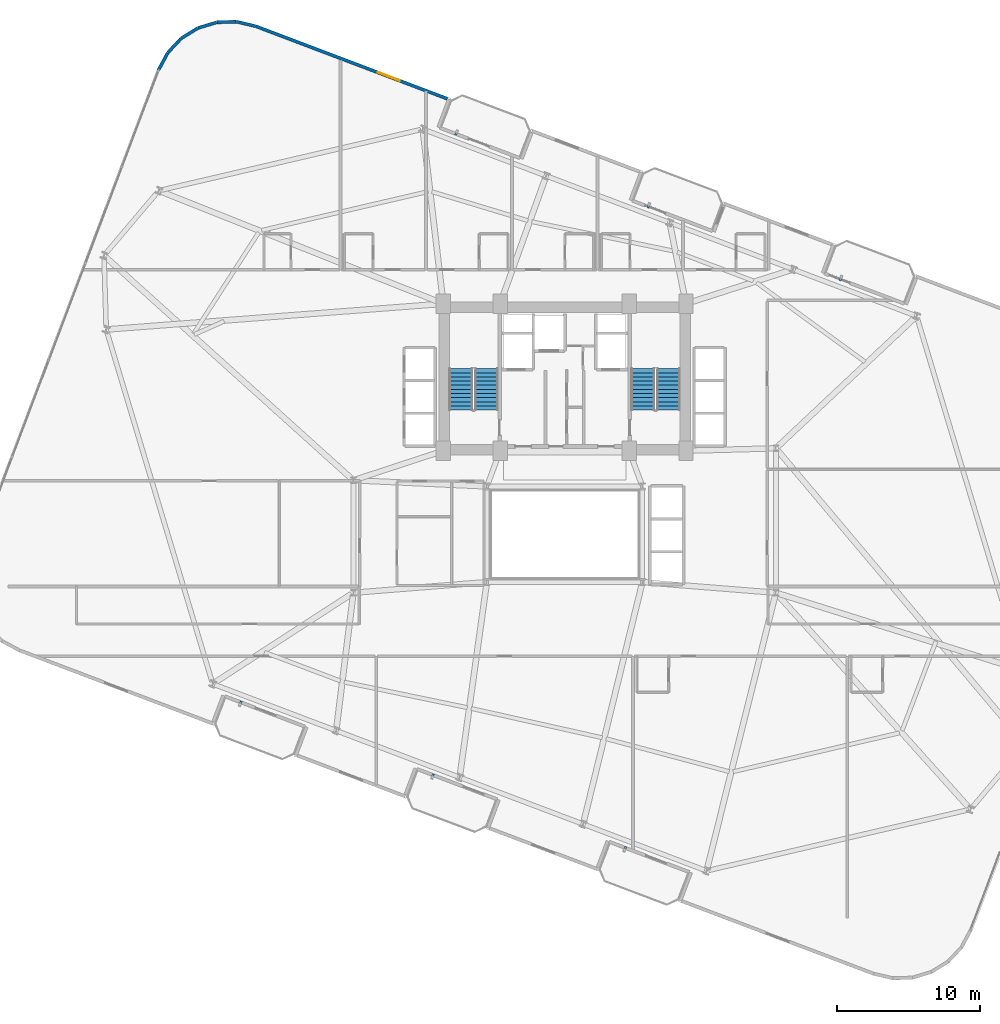
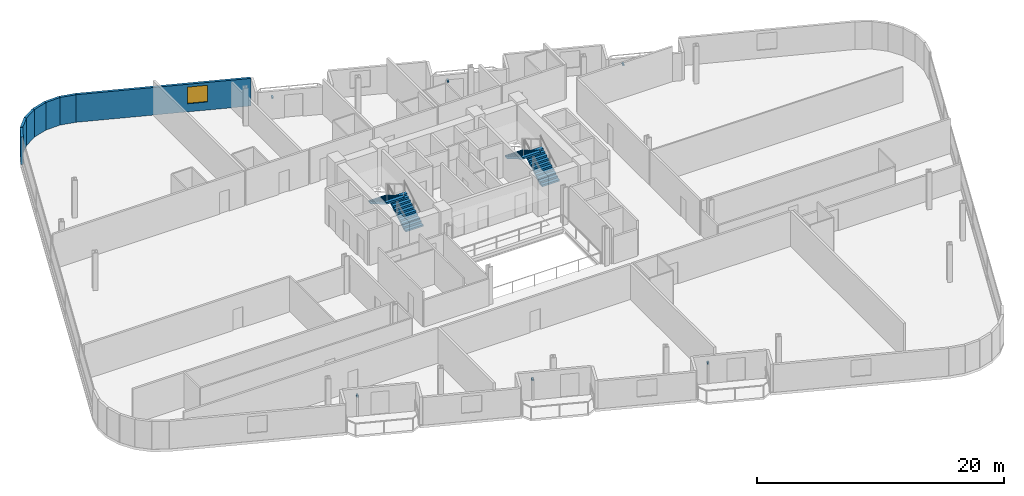
# One storey, part 21 of 24: 7 walls, 6 discrete accessories, 4 stair flights, 1 window, 1 opening, 2 elements without a shape of their own.
"""IFC4 building model written with IfcOpenShell, lengths in metres."""

import ifcopenshell
import ifcopenshell.guid

model = None  # the IFC model being written
_history = None  # IfcOwnerHistory: only IFC2X3 demands one
_inside = {}  # id of a spatial element -> (the spatial element, [elements in it])
_under = {}  # id of a project, library or spatial element -> (it, [spatial elements below it])
_declared = {}  # id of a project -> (the project, [libraries it declares])
_typed = {}  # id of a type object -> (the type object, [elements of that type])
_made_of = {}  # id of a material, layer set ... -> (it, [elements and type objects made of it])


def new_model(schema):
    """Start an empty IFC model of exactly this schema.

    Asked for "IFC4X3", IfcOpenShell would pick the latest addendum, in which some entities
    have other attributes; the version numbers below select the first issue.
    IFC2X3 requires an IfcOwnerHistory on every rooted entity: one is made here for all.
    """
    global model, _history
    if schema == "IFC4X3":
        model = ifcopenshell.file(schema_version=(4, 3, 0, 0))
    else:
        model = ifcopenshell.file(schema=schema)
    _inside.clear()
    _under.clear()
    _declared.clear()
    _typed.clear()
    _made_of.clear()
    _history = None
    if model.schema == "IFC2X3":
        org = make("IfcOrganization", Name="unknown")
        user = make(
            "IfcPersonAndOrganization",
            ThePerson=make("IfcPerson", FamilyName="unknown"),
            TheOrganization=org,
        )
        app = make(
            "IfcApplication",
            ApplicationDeveloper=org,
            Version="unknown",
            ApplicationFullName="unknown",
            ApplicationIdentifier="unknown",
        )
        _history = make(
            "IfcOwnerHistory",
            OwningUser=user,
            OwningApplication=app,
            ChangeAction="ADDED",
            CreationDate=0,
        )
    return model


def make(cls, **values):
    """One entity of the class cls with the attributes given. An attribute that is None is left unset."""
    return model.create_entity(
        cls, **{name: value for name, value in values.items() if value is not None}
    )


def rooted(cls, **values):
    """An entity with a GlobalId (a new one), such as an element, a storey or a relation."""
    return make(cls, GlobalId=ifcopenshell.guid.new(), OwnerHistory=_history, **values)


def si_unit(unit_type, name, prefix=None):
    """IfcSIUnit, for example si_unit("LENGTHUNIT", "METRE", prefix="MILLI")."""
    return make("IfcSIUnit", UnitType=unit_type, Prefix=prefix, Name=name)


def assignment(units):
    """IfcUnitAssignment: the units of a project."""
    return None if units is None else make("IfcUnitAssignment", Units=units)


def point(xyz):
    """IfcCartesianPoint."""
    return None if xyz is None else make("IfcCartesianPoint", Coordinates=xyz)


def direction(xyz):
    """IfcDirection."""
    return None if xyz is None else make("IfcDirection", DirectionRatios=xyz)


def frame(location, z_axis=None, x_axis=None):
    """IfcAxis2Placement3D, a coordinate frame: its origin and axes. An axis left out is left unset."""
    return make(
        "IfcAxis2Placement3D",
        Location=point(location),
        Axis=direction(z_axis),
        RefDirection=direction(x_axis),
    )


def frame_2d(location, x_axis=None):
    """IfcAxis2Placement2D, a coordinate frame in the plane: its origin and x axis."""
    return make(
        "IfcAxis2Placement2D", Location=point(location), RefDirection=direction(x_axis)
    )


def origin():
    """The frame at (0, 0, 0) with its axes left unset."""
    return frame((0.0, 0.0, 0.0))


def origin_2d():
    """The frame at (0, 0) in the plane with its x axis left unset."""
    return frame_2d((0.0, 0.0))


def place(relative_to, where):
    """IfcLocalPlacement: puts the frame where relative to a parent placement (None: the world)."""
    return make(
        "IfcLocalPlacement", PlacementRelTo=relative_to, RelativePlacement=where
    )


def context(
    kind, dimensions, precision=None, world=None, true_north=None, identifier=None
):
    """IfcGeometricRepresentationContext, for example the 3D "Model" context."""
    return make(
        "IfcGeometricRepresentationContext",
        ContextIdentifier=identifier,
        ContextType=kind,
        CoordinateSpaceDimension=dimensions,
        Precision=precision,
        WorldCoordinateSystem=world,
        TrueNorth=true_north,
    )


def subcontext(parent, identifier, kind, view, scale=None):
    """IfcGeometricRepresentationSubContext, for example "Body" below "Model"."""
    return make(
        "IfcGeometricRepresentationSubContext",
        ContextIdentifier=identifier,
        ContextType=kind,
        ParentContext=parent,
        TargetScale=scale,
        TargetView=view,
    )


def project(units=None, contexts=None):
    """IfcProject with its units and contexts."""
    return rooted(
        "IfcProject",
        Name="project",
        RepresentationContexts=contexts,
        UnitsInContext=assignment(units),
    )


def spatial(cls, under=None, at=None, **own):
    """A site, building, storey or space (cls), placed at a placement, below another one or the project."""
    s = rooted(cls, ObjectPlacement=at, **own)
    if under is not None:
        _under.setdefault(under.id(), (under, []))[1].append(s)
    return s


def polyline(points):
    """IfcPolyline through the points."""
    return make("IfcPolyline", Points=[point(p) for p in points])


def profile(cls, at=None, kind="AREA", **sizes):
    """A parametric profile (cls). Its sizes go by their IFC names, for example OverallWidth=200.0."""
    return make(cls, ProfileType=kind, Position=at, **sizes)


def rectangle(**sizes):
    """IfcRectangleProfileDef."""
    return profile("IfcRectangleProfileDef", **sizes)


def outline(outer, holes=None, kind="AREA"):
    """IfcArbitraryClosedProfileDef: a profile drawn as a closed curve; with holes, ...WithVoids."""
    if holes is None:
        return make("IfcArbitraryClosedProfileDef", ProfileType=kind, OuterCurve=outer)
    return make(
        "IfcArbitraryProfileDefWithVoids",
        ProfileType=kind,
        OuterCurve=outer,
        InnerCurves=holes,
    )


def extrude(swept, where, along, depth):
    """IfcExtrudedAreaSolid: the profile swept, set in the frame where, extruded along a direction by depth."""
    return make(
        "IfcExtrudedAreaSolid",
        SweptArea=swept,
        Position=where,
        ExtrudedDirection=direction(along),
        Depth=depth,
    )


def shape(context_of_items, identifier, shape_type, items):
    """IfcShapeRepresentation: the items that make up one representation, for example the "Body"."""
    return make(
        "IfcShapeRepresentation",
        ContextOfItems=context_of_items,
        RepresentationIdentifier=identifier,
        RepresentationType=shape_type,
        Items=items,
    )


def source(mapping_origin, context_of_items, identifier, shape_type, items):
    """IfcRepresentationMap: a shape defined once, which mapped items show again and again."""
    return make(
        "IfcRepresentationMap",
        MappingOrigin=mapping_origin,
        MappedRepresentation=shape(context_of_items, identifier, shape_type, items),
    )


def transform(
    local_origin,
    x_axis=None,
    y_axis=None,
    z_axis=None,
    scale=None,
    scale2=None,
    scale3=None,
    uniform=True,
):
    """IfcCartesianTransformationOperator3D, or its non-uniform kind. x_axis, y_axis, z_axis: its Axis1, 2, 3."""
    if uniform:
        return make(
            "IfcCartesianTransformationOperator3D",
            Axis1=direction(x_axis),
            Axis2=direction(y_axis),
            LocalOrigin=point(local_origin),
            Scale=scale,
            Axis3=direction(z_axis),
        )
    return make(
        "IfcCartesianTransformationOperator3DnonUniform",
        Axis1=direction(x_axis),
        Axis2=direction(y_axis),
        LocalOrigin=point(local_origin),
        Scale=scale,
        Axis3=direction(z_axis),
        Scale2=scale2,
        Scale3=scale3,
    )


def mapped(mapping_source, mapping_target):
    """IfcMappedItem: shows the shape of a source again, moved by a transform."""
    return make(
        "IfcMappedItem", MappingSource=mapping_source, MappingTarget=mapping_target
    )


def material(Name=None, Category=None):
    """IfcMaterial."""
    return make("IfcMaterial", Name=Name, Category=Category)


def layer(
    of_material, thickness, ventilated=None, Name=None, Category=None, Priority=None
):
    """IfcMaterialLayer: one layer of a wall or slab, of a material (None: an air gap)."""
    return make(
        "IfcMaterialLayer",
        Material=of_material,
        LayerThickness=thickness,
        IsVentilated=ventilated,
        Name=Name,
        Category=Category,
        Priority=Priority,
    )


def layer_set(layers, Name=None):
    """IfcMaterialLayerSet."""
    return make("IfcMaterialLayerSet", MaterialLayers=layers, LayerSetName=Name)


def made_of(thing, what):
    """Note that an element or type object is made of a material, layer set ...; save() writes the relation."""
    if what is not None:
        _made_of.setdefault(what.id(), (what, []))[1].append(thing)
    return thing


def type_object(cls, material=None, **own):
    """A type object (cls), such as IfcWallType, which elements share."""
    return made_of(rooted(cls, **own), material)


def element(
    cls,
    number,
    at=None,
    inside=None,
    cuts=None,
    type_object=None,
    material=None,
    context=None,
    identifier="Body",
    shape_type=None,
    held_by="IfcProductDefinitionShape",
    body=None,
    shapes=None,
    **own,
):
    """One element of the class cls, such as IfcWall. Its Tag is "e" and its number.

    at: its placement. inside: the storey or other place that contains it. cuts: it is an
    opening in that element (IfcRelVoidsElement). A single representation is given by context,
    identifier, shape_type and body (its items); several are given by shapes. held_by: the class
    of the entity that holds the representations. save() writes the other relations.
    """
    e = rooted(cls, Tag="e%d" % number, ObjectPlacement=at, **own)
    if body is not None:
        shapes = [shape(context, identifier, shape_type, body)]
    if shapes is not None:
        e.Representation = make(held_by, Representations=shapes)
    if inside is not None:
        _inside.setdefault(inside.id(), (inside, []))[1].append(e)
    if cuts is not None:
        rooted(
            "IfcRelVoidsElement", RelatingBuildingElement=cuts, RelatedOpeningElement=e
        )
    if type_object is not None:
        _typed.setdefault(type_object.id(), (type_object, []))[1].append(e)
    return made_of(e, material)


def fill(opening, filler):
    """IfcRelFillsElement: the door or window that sits in an opening."""
    return rooted(
        "IfcRelFillsElement",
        RelatingOpeningElement=opening,
        RelatedBuildingElement=filler,
    )


def aggregate(whole, parts):
    """IfcRelAggregates: a whole, such as a stair, and the parts it consists of."""
    return rooted("IfcRelAggregates", RelatingObject=whole, RelatedObjects=parts)


def save(model, path):
    """Write the relations noted so far, then the file.

    IfcRelAggregates (storeys below a building ...), IfcRelContainedInSpatialStructure (elements
    in a storey), IfcRelDefinesByType, IfcRelAssociatesMaterial and IfcRelDeclares: one each for
    every whole, place, type object, material and project.
    """
    for whole, parts in _under.values():
        aggregate(whole, parts)
    for where, things in _inside.values():
        rooted(
            "IfcRelContainedInSpatialStructure",
            RelatedElements=things,
            RelatingStructure=where,
        )
    for kind, things in _typed.values():
        rooted("IfcRelDefinesByType", RelatedObjects=things, RelatingType=kind)
    for what, things in _made_of.values():
        rooted("IfcRelAssociatesMaterial", RelatedObjects=things, RelatingMaterial=what)
    for by, libraries in _declared.values():
        rooted("IfcRelDeclares", RelatingContext=by, RelatedDefinitions=libraries)
    model.write(path)


model = new_model("IFC4")

# Units and contexts
model_context = context("Model", 3, precision=1e-05, world=origin(), true_north=direction((0.0, 1.0)))
body_context = subcontext(model_context, "Body", "Model", "MODEL_VIEW")
ifc_project = project(units=[si_unit("LENGTHUNIT", "METRE"), si_unit("AREAUNIT", "SQUARE_METRE"), si_unit("VOLUMEUNIT", "CUBIC_METRE"), si_unit("PLANEANGLEUNIT", "RADIAN"), si_unit("MASSUNIT", "GRAM", prefix="KILO")], contexts=[model_context])

# Site, building, storey
site_placement = place(None, origin())
site = spatial("IfcSite", under=ifc_project, at=site_placement, CompositionType="ELEMENT")
building_placement = place(site_placement, origin())
building = spatial("IfcBuilding", under=site, at=building_placement, Name="Varnelok Gate Tower", CompositionType="ELEMENT")
storey_placement = place(building_placement, frame((0.0, 0.0, 87.300048828125)))
storey = spatial("IfcBuildingStorey", under=building, at=storey_placement, Name="L21", CompositionType="ELEMENT", Elevation=87.300048828125)

# Wall, opening, window
ifc_material_1 = material(Name="Concrete C45/55", Category="concrete")
ifc_layer = layer(ifc_material_1, 0.219970703125)
ifc_layer_set = layer_set([ifc_layer], Name="Concrete C45/55")
wall_type = type_object("IfcWallType", Name="EW-BALC-220", PredefinedType="SOLIDWALL", material=ifc_layer_set)
wall_1_placement = place(storey_placement, frame((30.97607421875, 53.412841796875, 0.0), z_axis=(0.0, 0.0, 1.0), x_axis=(-0.935220327379, 0.354066292178, 0.0)))
wall_1 = element("IfcWall", 1, at=wall_1_placement, inside=storey, type_object=wall_type, Name="L21 Perimeter Facade Closure Wall 38", PredefinedType="SOLIDWALL", context=body_context, shape_type="SweptSolid", body=[
    extrude(rectangle(XDim=14.34716796875, YDim=0.219970703125, at=frame_2d((7.173583984375, 0.0))), origin(), (0.0, 0.0, 1.0), 2.72998046875),
])
opening_placement = place(wall_1_placement, frame((3.55517578125, 0.0, 0.800048828125)))
opening = element("IfcOpeningElement", 2, at=opening_placement, cuts=wall_1, Name="Opening WN3", PredefinedType="OPENING", context=body_context, shape_type="SweptSolid", body=[
    extrude(rectangle(XDim=1.64990234375, YDim=1.64990234375, at=frame_2d((0.824951171875, 0.824951171875))), frame((0.0, 0.119873046875, 0.0), z_axis=(0.0, -1.0, 0.0), x_axis=(1.0, 0.0, 0.0)), (0.0, 0.0, 1.0), 0.239990234375),
])
ifc_material_2 = material(Name="Low-E Laminated Double Glazing IGU", Category="glass")
window_type = type_object("IfcWindowType", Name="WN-HTL-1650", PartitioningType="SINGLE_PANEL", PredefinedType="WINDOW", material=ifc_material_2)
window_placement = place(opening_placement, origin())
window = element("IfcWindow", 3, at=window_placement, inside=storey, type_object=window_type, Name="L21 Perimeter Vision Window 38", OverallHeight=1.64990234375, OverallWidth=1.64990234375, PartitioningType="SINGLE_PANEL", PredefinedType="WINDOW", context=body_context, shape_type="SweptSolid", body=[
    extrude(rectangle(XDim=1.64990234375, YDim=1.64990234375, at=frame_2d((0.824951171875, 0.824951171875))), frame((0.0, 0.030029296875, 0.0), z_axis=(0.0, -1.0, 0.0), x_axis=(1.0, 0.0, 0.0)), (0.0, 0.0, 1.0), 0.06005859375),
])
fill(opening, window)

# Walls
wall_2_placement = place(storey_placement, frame((17.533935546875, 58.498291015625, 0.0), z_axis=(0.0, 0.0, 1.0), x_axis=(-0.973414815952, 0.229049331117, 0.0)))
element("IfcWall", 4, at=wall_2_placement, inside=storey, type_object=wall_type, Name="L21 Perimeter Facade Closure Wall 39", PredefinedType="SOLIDWALL", context=body_context, shape_type="SweptSolid", body=[
    extrude(rectangle(XDim=1.361083984375, YDim=0.219970703125, at=frame_2d((0.6806640625, 0.0))), origin(), (0.0, 0.0, 1.0), 2.72998046875),
])
wall_3_placement = place(storey_placement, frame((16.18408203125, 58.809326171875, 0.0), z_axis=(0.0, 0.0, 1.0), x_axis=(-0.999523971993, -0.03085173271, 0.0)))
element("IfcWall", 5, at=wall_3_placement, inside=storey, type_object=wall_type, Name="L21 Perimeter Facade Closure Wall 40", PredefinedType="SOLIDWALL", context=body_context, shape_type="SweptSolid", body=[
    extrude(rectangle(XDim=1.353271484375, YDim=0.219970703125, at=frame_2d((0.6767578125, 0.0))), origin(), (0.0, 0.0, 1.0), 2.72998046875),
])
for number, where, z_axis, x_axis, name in (
    (6, (14.8076171875, 58.76025390625, 0.0), (0.0, 0.0, 1.0), (-0.957532798303, -0.28832436625, 0.0), "L21 Perimeter Facade Closure Wall 41"),
    (7, (13.49072265625, 58.35693359375, 0.0), (0.0, 0.0, 1.0), (-0.850261301096, -0.526360826676, 0.0), "L21 Perimeter Facade Closure Wall 42"),
    (8, (12.3232421875, 57.62646484375, 0.0), (0.0, 0.0, 1.0), (-0.684936830459, -0.728602455583, 0.0), "L21 Perimeter Facade Closure Wall 43"),
    (9, (11.384521484375, 56.61865234375, 0.0), (0.0, 0.0, 1.0), (-0.473077364598, -0.881020889142, 0.0), "L21 Perimeter Facade Closure Wall 44"),
):
    element("IfcWall", number, at=place(storey_placement, frame(where, z_axis=z_axis, x_axis=x_axis)), inside=storey, type_object=wall_type, Name=name, PredefinedType="SOLIDWALL", context=body_context, shape_type="SweptSolid", body=[
        extrude(rectangle(XDim=1.35302734375, YDim=0.219970703125, at=frame_2d((0.676513671875, 0.0))), origin(), (0.0, 0.0, 1.0), 2.72998046875),
    ])

# Stair, stair flights
ifc_material_3 = material(Name="Concrete C50/60", Category="concrete")
stair_type = type_object("IfcStairType", Name="STR-CORE-1650", PredefinedType="HALF_TURN_STAIR", material=ifc_material_3)
stair_1_placement = place(storey_placement, origin())
stair_1 = element("IfcStair", 10, at=stair_1_placement, inside=storey, type_object=stair_type, Name="L21 Exit Stair ST-1", PredefinedType="HALF_TURN_STAIR")
stair_flight_type = type_object("IfcStairFlightType", Name="SFL-CORE-1650", PredefinedType="STRAIGHT", material=ifc_material_3)
stair_flight_1_placement = place(storey_placement, frame((33.72509765625, 31.60009765625, 0.0), z_axis=(0.0, 0.0, 1.0), x_axis=(0.0, 1.0, 0.0)))
stair_flight_1 = element("IfcStairFlight", 11, at=stair_flight_1_placement, type_object=stair_flight_type, Name="ST-1 flight 1", NumberOfRisers=11, NumberOfTreads=10, PredefinedType="STRAIGHT", RiserHeight=0.168181818, TreadLength=0.29, context=body_context, shape_type="SweptSolid", body=[
    extrude(outline(polyline([(0.0, 0.0), (0.0, 0.168212890625), (0.2900390625, 0.168212890625), (0.2900390625, 0.33642578125), (0.580078125, 0.33642578125), (0.580078125, 0.504638671875), (0.8701171875, 0.504638671875), (0.8701171875, 0.672607421875), (1.159912109375, 0.672607421875), (1.159912109375, 0.8408203125), (1.449951171875, 0.8408203125), (1.449951171875, 1.009033203125), (1.739990234375, 1.009033203125), (1.739990234375, 1.17724609375), (2.030029296875, 1.17724609375), (2.030029296875, 1.345458984375), (2.320068359375, 1.345458984375), (2.320068359375, 1.513671875), (2.610107421875, 1.513671875), (2.610107421875, 1.681884765625), (2.89990234375, 1.681884765625), (2.89990234375, 1.85009765625), (2.89990234375, 1.508544921875), (0.298828125, 0.0), (0.0, 0.0)])), frame((0.0, 0.824951171875, 0.0), z_axis=(0.0, -1.0, 0.0), x_axis=(1.0, 0.0, 0.0)), (0.0, 0.0, 1.0), 1.64990234375),
])
stair_flight_2_placement = place(storey_placement, frame((31.925048828125, 34.5, 1.849853515625), z_axis=(0.0, 0.0, 1.0), x_axis=(0.0, -1.0, 0.0)))
stair_flight_2 = element("IfcStairFlight", 12, at=stair_flight_2_placement, type_object=stair_flight_type, Name="ST-1 flight 2", NumberOfRisers=11, NumberOfTreads=10, PredefinedType="STRAIGHT", RiserHeight=0.168181818, TreadLength=0.29, context=body_context, shape_type="SweptSolid", body=[
    extrude(outline(polyline([(0.0, 0.0), (0.0, 0.168212890625), (0.2900390625, 0.168212890625), (0.2900390625, 0.33642578125), (0.580078125, 0.33642578125), (0.580078125, 0.504638671875), (0.8701171875, 0.504638671875), (0.8701171875, 0.672607421875), (1.159912109375, 0.672607421875), (1.159912109375, 0.8408203125), (1.449951171875, 0.8408203125), (1.449951171875, 1.009033203125), (1.739990234375, 1.009033203125), (1.739990234375, 1.17724609375), (2.030029296875, 1.17724609375), (2.030029296875, 1.345458984375), (2.320068359375, 1.345458984375), (2.320068359375, 1.513671875), (2.610107421875, 1.513671875), (2.610107421875, 1.681884765625), (2.89990234375, 1.681884765625), (2.89990234375, 1.85009765625), (2.89990234375, 1.508544921875), (0.298828125, 0.0), (0.0, 0.0)])), frame((0.0, 0.824951171875, 0.0), z_axis=(0.0, -1.0, 0.0), x_axis=(1.0, 0.0, 0.0)), (0.0, 0.0, 1.0), 1.64990234375),
])
aggregate(stair_1, [stair_flight_1, stair_flight_2])

stair_2_placement = place(storey_placement, origin())
stair_2 = element("IfcStair", 13, at=stair_2_placement, inside=storey, type_object=stair_type, Name="L21 Exit Stair ST-2", PredefinedType="HALF_TURN_STAIR")
stair_flight_3_placement = place(storey_placement, frame((46.47509765625, 31.60009765625, 0.0), z_axis=(0.0, 0.0, 1.0), x_axis=(0.0, 1.0, 0.0)))
stair_flight_3 = element("IfcStairFlight", 14, at=stair_flight_3_placement, type_object=stair_flight_type, Name="ST-2 flight 1", NumberOfRisers=11, NumberOfTreads=10, PredefinedType="STRAIGHT", RiserHeight=0.168181818, TreadLength=0.29, context=body_context, shape_type="SweptSolid", body=[
    extrude(outline(polyline([(0.0, 0.0), (0.0, 0.168212890625), (0.2900390625, 0.168212890625), (0.2900390625, 0.33642578125), (0.580078125, 0.33642578125), (0.580078125, 0.504638671875), (0.8701171875, 0.504638671875), (0.8701171875, 0.672607421875), (1.159912109375, 0.672607421875), (1.159912109375, 0.8408203125), (1.449951171875, 0.8408203125), (1.449951171875, 1.009033203125), (1.739990234375, 1.009033203125), (1.739990234375, 1.17724609375), (2.030029296875, 1.17724609375), (2.030029296875, 1.345458984375), (2.320068359375, 1.345458984375), (2.320068359375, 1.513671875), (2.610107421875, 1.513671875), (2.610107421875, 1.681884765625), (2.89990234375, 1.681884765625), (2.89990234375, 1.85009765625), (2.89990234375, 1.508544921875), (0.298828125, 0.0), (0.0, 0.0)])), frame((0.0, 0.824951171875, 0.0), z_axis=(0.0, -1.0, 0.0), x_axis=(1.0, 0.0, 0.0)), (0.0, 0.0, 1.0), 1.64990234375),
])
stair_flight_4_placement = place(storey_placement, frame((44.675048828125, 34.5, 1.849853515625), z_axis=(0.0, 0.0, 1.0), x_axis=(0.0, -1.0, 0.0)))
stair_flight_4 = element("IfcStairFlight", 15, at=stair_flight_4_placement, type_object=stair_flight_type, Name="ST-2 flight 2", NumberOfRisers=11, NumberOfTreads=10, PredefinedType="STRAIGHT", RiserHeight=0.168181818, TreadLength=0.29, context=body_context, shape_type="SweptSolid", body=[
    extrude(outline(polyline([(0.0, 0.0), (0.0, 0.168212890625), (0.2900390625, 0.168212890625), (0.2900390625, 0.33642578125), (0.580078125, 0.33642578125), (0.580078125, 0.504638671875), (0.8701171875, 0.504638671875), (0.8701171875, 0.672607421875), (1.159912109375, 0.672607421875), (1.159912109375, 0.8408203125), (1.449951171875, 0.8408203125), (1.449951171875, 1.009033203125), (1.739990234375, 1.009033203125), (1.739990234375, 1.17724609375), (2.030029296875, 1.17724609375), (2.030029296875, 1.345458984375), (2.320068359375, 1.345458984375), (2.320068359375, 1.513671875), (2.610107421875, 1.513671875), (2.610107421875, 1.681884765625), (2.89990234375, 1.681884765625), (2.89990234375, 1.85009765625), (2.89990234375, 1.508544921875), (0.298828125, 0.0), (0.0, 0.0)])), frame((0.0, 0.824951171875, 0.0), z_axis=(0.0, -1.0, 0.0), x_axis=(1.0, 0.0, 0.0)), (0.0, 0.0, 1.0), 1.64990234375),
])
aggregate(stair_2, [stair_flight_3, stair_flight_4])

# Discrete accessories
ifc_material_4 = material(Name="Structural Steel ASTM A500 Grade C", Category="steel")
discrete_accessory_type = type_object("IfcDiscreteAccessoryType", Name="ACC-BAGUETTE-BRK", PredefinedType="BRACKET", material=ifc_material_4)
shared_shape = source(origin(), body_context, "Body", "SweptSolid", [
    extrude(rectangle(XDim=0.159912109375, YDim=0.340087890625, at=origin_2d()), origin(), (0.0, 0.0, 1.0), 0.139892578125),
])
for number, where, z_axis, x_axis, name in (
    (16, (16.483154296875, 11.050048828125, 1.97998046875), (0.0, 0.0, 1.0), (0.935221751401, -0.354062530786, 0.0), "L21 Terracotta Baguette Bracket 1.1"),
    (17, (29.9501953125, 5.95166015625, 1.97998046875), (0.0, 0.0, 1.0), (0.935221751401, -0.354062530786, 0.0), "L21 Terracotta Baguette Bracket 2.1"),
    (18, (43.41748046875, 0.85302734375, 1.97998046875), (0.0, 0.0, 1.0), (0.935221751401, -0.354062530786, 0.0), "L21 Terracotta Baguette Bracket 3.1"),
    (19, (31.61572265625, 51.021484375, 1.97998046875), (0.0, 0.0, 1.0), (0.935221751401, -0.354062530786, 0.0), "L21 Terracotta Baguette Bracket 4.1"),
    (20, (45.0830078125, 45.923095703125, 1.97998046875), (0.0, 0.0, 1.0), (0.935221751401, -0.354062530786, 0.0), "L21 Terracotta Baguette Bracket 5.1"),
    (21, (58.550048828125, 40.824462890625, 1.97998046875), (0.0, 0.0, 1.0), (0.935221751401, -0.354062530786, 0.0), "L21 Terracotta Baguette Bracket 6.1"),
):
    element("IfcDiscreteAccessory", number, at=place(storey_placement, frame(where, z_axis=z_axis, x_axis=x_axis)), inside=storey, type_object=discrete_accessory_type, Name=name, PredefinedType="BRACKET", context=body_context, shape_type="MappedRepresentation", body=[
        mapped(shared_shape, transform((0.0, 0.0, 0.0), scale=1.0)),
    ])

save(model, "model.ifc")
